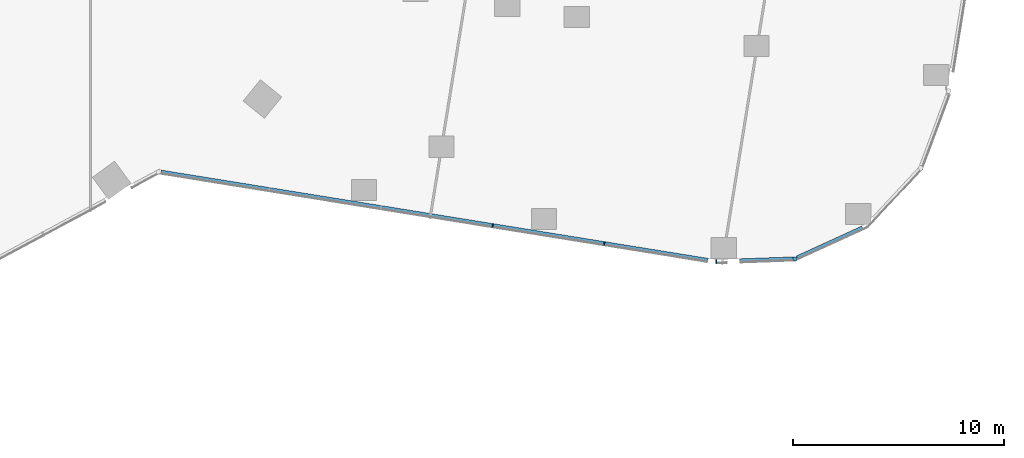
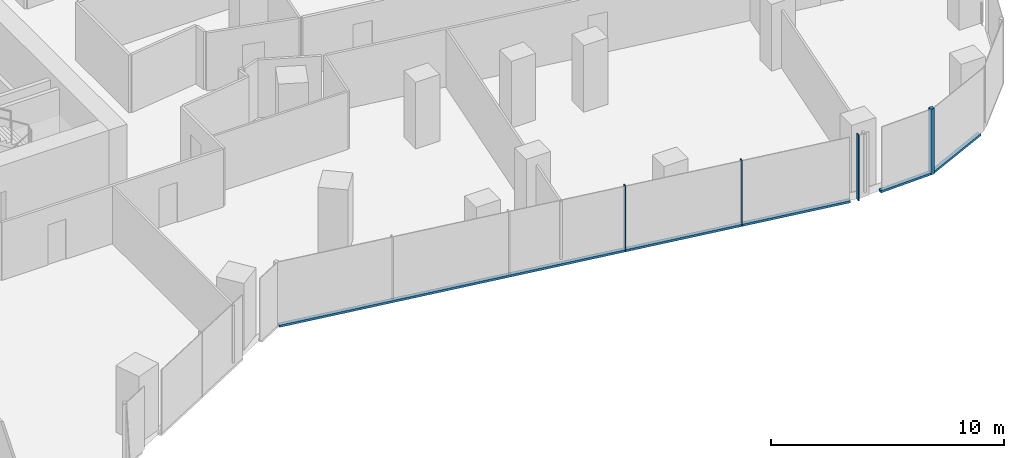
# One storey, part 9 of 34: 7 members, 3 elements without a shape of their own.
"""IFC4 building model written with IfcOpenShell, lengths in metres."""

import ifcopenshell
import ifcopenshell.guid

model = None  # the IFC model being written
_history = None  # IfcOwnerHistory: only IFC2X3 demands one
_inside = {}  # id of a spatial element -> (the spatial element, [elements in it])
_under = {}  # id of a project, library or spatial element -> (it, [spatial elements below it])
_declared = {}  # id of a project -> (the project, [libraries it declares])
_typed = {}  # id of a type object -> (the type object, [elements of that type])
_made_of = {}  # id of a material, layer set ... -> (it, [elements and type objects made of it])


def new_model(schema):
    """Start an empty IFC model of exactly this schema.

    Asked for "IFC4X3", IfcOpenShell would pick the latest addendum, in which some entities
    have other attributes; the version numbers below select the first issue.
    IFC2X3 requires an IfcOwnerHistory on every rooted entity: one is made here for all.
    """
    global model, _history
    if schema == "IFC4X3":
        model = ifcopenshell.file(schema_version=(4, 3, 0, 0))
    else:
        model = ifcopenshell.file(schema=schema)
    _inside.clear()
    _under.clear()
    _declared.clear()
    _typed.clear()
    _made_of.clear()
    _history = None
    if model.schema == "IFC2X3":
        org = make("IfcOrganization", Name="unknown")
        user = make(
            "IfcPersonAndOrganization",
            ThePerson=make("IfcPerson", FamilyName="unknown"),
            TheOrganization=org,
        )
        app = make(
            "IfcApplication",
            ApplicationDeveloper=org,
            Version="unknown",
            ApplicationFullName="unknown",
            ApplicationIdentifier="unknown",
        )
        _history = make(
            "IfcOwnerHistory",
            OwningUser=user,
            OwningApplication=app,
            ChangeAction="ADDED",
            CreationDate=0,
        )
    return model


def make(cls, **values):
    """One entity of the class cls with the attributes given. An attribute that is None is left unset."""
    return model.create_entity(
        cls, **{name: value for name, value in values.items() if value is not None}
    )


def rooted(cls, **values):
    """An entity with a GlobalId (a new one), such as an element, a storey or a relation."""
    return make(cls, GlobalId=ifcopenshell.guid.new(), OwnerHistory=_history, **values)


def si_unit(unit_type, name, prefix=None):
    """IfcSIUnit, for example si_unit("LENGTHUNIT", "METRE", prefix="MILLI")."""
    return make("IfcSIUnit", UnitType=unit_type, Prefix=prefix, Name=name)


def assignment(units):
    """IfcUnitAssignment: the units of a project."""
    return None if units is None else make("IfcUnitAssignment", Units=units)


def point(xyz):
    """IfcCartesianPoint."""
    return None if xyz is None else make("IfcCartesianPoint", Coordinates=xyz)


def direction(xyz):
    """IfcDirection."""
    return None if xyz is None else make("IfcDirection", DirectionRatios=xyz)


def frame(location, z_axis=None, x_axis=None):
    """IfcAxis2Placement3D, a coordinate frame: its origin and axes. An axis left out is left unset."""
    return make(
        "IfcAxis2Placement3D",
        Location=point(location),
        Axis=direction(z_axis),
        RefDirection=direction(x_axis),
    )


def frame_2d(location, x_axis=None):
    """IfcAxis2Placement2D, a coordinate frame in the plane: its origin and x axis."""
    return make(
        "IfcAxis2Placement2D", Location=point(location), RefDirection=direction(x_axis)
    )


def origin():
    """The frame at (0, 0, 0) with its axes left unset."""
    return frame((0.0, 0.0, 0.0))


def origin_2d():
    """The frame at (0, 0) in the plane with its x axis left unset."""
    return frame_2d((0.0, 0.0))


def place(relative_to, where):
    """IfcLocalPlacement: puts the frame where relative to a parent placement (None: the world)."""
    return make(
        "IfcLocalPlacement", PlacementRelTo=relative_to, RelativePlacement=where
    )


def context(
    kind, dimensions, precision=None, world=None, true_north=None, identifier=None
):
    """IfcGeometricRepresentationContext, for example the 3D "Model" context."""
    return make(
        "IfcGeometricRepresentationContext",
        ContextIdentifier=identifier,
        ContextType=kind,
        CoordinateSpaceDimension=dimensions,
        Precision=precision,
        WorldCoordinateSystem=world,
        TrueNorth=true_north,
    )


def subcontext(parent, identifier, kind, view, scale=None):
    """IfcGeometricRepresentationSubContext, for example "Body" below "Model"."""
    return make(
        "IfcGeometricRepresentationSubContext",
        ContextIdentifier=identifier,
        ContextType=kind,
        ParentContext=parent,
        TargetScale=scale,
        TargetView=view,
    )


def project(units=None, contexts=None):
    """IfcProject with its units and contexts."""
    return rooted(
        "IfcProject",
        Name="project",
        RepresentationContexts=contexts,
        UnitsInContext=assignment(units),
    )


def spatial(cls, under=None, at=None, **own):
    """A site, building, storey or space (cls), placed at a placement, below another one or the project."""
    s = rooted(cls, ObjectPlacement=at, **own)
    if under is not None:
        _under.setdefault(under.id(), (under, []))[1].append(s)
    return s


def profile(cls, at=None, kind="AREA", **sizes):
    """A parametric profile (cls). Its sizes go by their IFC names, for example OverallWidth=200.0."""
    return make(cls, ProfileType=kind, Position=at, **sizes)


def rectangle(**sizes):
    """IfcRectangleProfileDef."""
    return profile("IfcRectangleProfileDef", **sizes)


def extrude(swept, where, along, depth):
    """IfcExtrudedAreaSolid: the profile swept, set in the frame where, extruded along a direction by depth."""
    return make(
        "IfcExtrudedAreaSolid",
        SweptArea=swept,
        Position=where,
        ExtrudedDirection=direction(along),
        Depth=depth,
    )


def shape(context_of_items, identifier, shape_type, items):
    """IfcShapeRepresentation: the items that make up one representation, for example the "Body"."""
    return make(
        "IfcShapeRepresentation",
        ContextOfItems=context_of_items,
        RepresentationIdentifier=identifier,
        RepresentationType=shape_type,
        Items=items,
    )


def material(Name=None, Category=None):
    """IfcMaterial."""
    return make("IfcMaterial", Name=Name, Category=Category)


def material_profile(
    of_material, cross_section, Name=None, Category=None, Priority=None
):
    """IfcMaterialProfile: a cross section and its material."""
    return make(
        "IfcMaterialProfile",
        Name=Name,
        Material=of_material,
        Profile=cross_section,
        Priority=Priority,
        Category=Category,
    )


def profile_set(profiles, Name=None, composite=None):
    """IfcMaterialProfileSet."""
    return make(
        "IfcMaterialProfileSet",
        Name=Name,
        MaterialProfiles=profiles,
        CompositeProfile=composite,
    )


def made_of(thing, what):
    """Note that an element or type object is made of a material, layer set ...; save() writes the relation."""
    if what is not None:
        _made_of.setdefault(what.id(), (what, []))[1].append(thing)
    return thing


def type_object(cls, material=None, **own):
    """A type object (cls), such as IfcWallType, which elements share."""
    return made_of(rooted(cls, **own), material)


def element(
    cls,
    number,
    at=None,
    inside=None,
    cuts=None,
    type_object=None,
    material=None,
    context=None,
    identifier="Body",
    shape_type=None,
    held_by="IfcProductDefinitionShape",
    body=None,
    shapes=None,
    **own,
):
    """One element of the class cls, such as IfcWall. Its Tag is "e" and its number.

    at: its placement. inside: the storey or other place that contains it. cuts: it is an
    opening in that element (IfcRelVoidsElement). A single representation is given by context,
    identifier, shape_type and body (its items); several are given by shapes. held_by: the class
    of the entity that holds the representations. save() writes the other relations.
    """
    e = rooted(cls, Tag="e%d" % number, ObjectPlacement=at, **own)
    if body is not None:
        shapes = [shape(context, identifier, shape_type, body)]
    if shapes is not None:
        e.Representation = make(held_by, Representations=shapes)
    if inside is not None:
        _inside.setdefault(inside.id(), (inside, []))[1].append(e)
    if cuts is not None:
        rooted(
            "IfcRelVoidsElement", RelatingBuildingElement=cuts, RelatedOpeningElement=e
        )
    if type_object is not None:
        _typed.setdefault(type_object.id(), (type_object, []))[1].append(e)
    return made_of(e, material)


def aggregate(whole, parts):
    """IfcRelAggregates: a whole, such as a stair, and the parts it consists of."""
    return rooted("IfcRelAggregates", RelatingObject=whole, RelatedObjects=parts)


def save(model, path):
    """Write the relations noted so far, then the file.

    IfcRelAggregates (storeys below a building ...), IfcRelContainedInSpatialStructure (elements
    in a storey), IfcRelDefinesByType, IfcRelAssociatesMaterial and IfcRelDeclares: one each for
    every whole, place, type object, material and project.
    """
    for whole, parts in _under.values():
        aggregate(whole, parts)
    for where, things in _inside.values():
        rooted(
            "IfcRelContainedInSpatialStructure",
            RelatedElements=things,
            RelatingStructure=where,
        )
    for kind, things in _typed.values():
        rooted("IfcRelDefinesByType", RelatedObjects=things, RelatingType=kind)
    for what, things in _made_of.values():
        rooted("IfcRelAssociatesMaterial", RelatedObjects=things, RelatingMaterial=what)
    for by, libraries in _declared.values():
        rooted("IfcRelDeclares", RelatingContext=by, RelatedDefinitions=libraries)
    model.write(path)


model = new_model("IFC4")

# Units and contexts
model_context = context("Model", 3, precision=1e-05, world=origin(), true_north=direction((0.0, 1.0)))
body_context = subcontext(model_context, "Body", "Model", "MODEL_VIEW")
ifc_project = project(units=[si_unit("LENGTHUNIT", "METRE"), si_unit("AREAUNIT", "SQUARE_METRE"), si_unit("VOLUMEUNIT", "CUBIC_METRE"), si_unit("PLANEANGLEUNIT", "RADIAN"), si_unit("MASSUNIT", "GRAM", prefix="KILO")], contexts=[model_context])

# Site, building, storey
site_placement = place(None, origin())
site = spatial("IfcSite", under=ifc_project, at=site_placement, CompositionType="ELEMENT")
building_placement = place(site_placement, origin())
building = spatial("IfcBuilding", under=site, at=building_placement, Name="Orlundy Tower", CompositionType="ELEMENT")
storey_placement = place(building_placement, frame((0.0, 0.0, 134.199951171875)))
storey = spatial("IfcBuildingStorey", under=building, at=storey_placement, Name="L34", CompositionType="ELEMENT", Elevation=134.199951171875)

# Curtain wall, member
ifc_material_1 = material(Name="Aluminium bronze anodised", Category="aluminium")
curtain_wall_type = type_object("IfcCurtainWallType", Name="CW1 wall", PredefinedType="NOTDEFINED", material=ifc_material_1)
curtain_wall_1_placement = place(storey_placement, origin())
curtain_wall_1 = element("IfcCurtainWall", 1, at=curtain_wall_1_placement, inside=storey, type_object=curtain_wall_type, Name="CW1 run 015", PredefinedType="NOTDEFINED")
ifc_material_2 = material(Name="Aluminium bronze anodised", Category="aluminium")
ifc_material_profile_1 = material_profile(ifc_material_2, rectangle(XDim=0.179931640625, YDim=0.179931640625, at=origin_2d()), Name="CW1 corner post 180x180")
ifc_profile_set_1 = profile_set([ifc_material_profile_1], Name="Aluminium bronze anodised")
member_type_1 = type_object("IfcMemberType", Name="CW1 corner post 180x180", PredefinedType="MULLION", material=ifc_profile_set_1)
member_1_placement = place(storey_placement, frame((49.901123046875, -27.664306640625, -0.39990234375), z_axis=(0.0, 0.0, 1.0), x_axis=(0.036413082656, -0.999336823804, 0.0)))
member_1 = element("IfcMember", 2, at=member_1_placement, type_object=member_type_1, Name="CW1 mullion 43", PredefinedType="MULLION", context=body_context, shape_type="SweptSolid", body=[
    extrude(rectangle(XDim=0.179931640625, YDim=0.179931640625, at=origin_2d()), origin(), (0.0, 0.0, 1.0), 3.449951171875),
])

# Curtain wall, members
curtain_wall_2_placement = place(storey_placement, origin())
curtain_wall_2 = element("IfcCurtainWall", 3, at=curtain_wall_2_placement, inside=storey, type_object=curtain_wall_type, Name="CW1 run 016", PredefinedType="NOTDEFINED")
ifc_material_3 = material(Name="Aluminium bronze anodised", Category="aluminium")
ifc_material_profile_2 = material_profile(ifc_material_3, rectangle(XDim=0.179931640625, YDim=0.050048828125, at=origin_2d()), Name="CW1 mullion 50x180")
ifc_profile_set_2 = profile_set([ifc_material_profile_2], Name="Aluminium bronze anodised")
member_type_2 = type_object("IfcMemberType", Name="CW1 mullion 50x180", PredefinedType="MULLION", material=ifc_profile_set_2)
member_2_placement = place(storey_placement, frame((46.16943359375, -27.80029296875, -0.39990234375), z_axis=(0.0, 0.0, 1.0), x_axis=(-0.061746522644, -0.998091862977, 0.0)))
member_2 = element("IfcMember", 4, at=member_2_placement, type_object=member_type_2, Name="CW1 mullion 44", PredefinedType="MULLION", context=body_context, shape_type="SweptSolid", body=[
    extrude(rectangle(XDim=0.179931640625, YDim=0.050048828125, at=origin_2d()), origin(), (0.0, 0.0, 1.0), 3.449951171875),
])
member_3_placement = place(storey_placement, frame((40.872314453125, -26.945556640625, -0.39990234375), z_axis=(0.0, 0.0, 1.0), x_axis=(-0.159311085453, -0.987228432558, 0.0)))
member_3 = element("IfcMember", 5, at=member_3_placement, type_object=member_type_2, Name="CW1 mullion 45", PredefinedType="MULLION", context=body_context, shape_type="SweptSolid", body=[
    extrude(rectangle(XDim=0.179931640625, YDim=0.050048828125, at=origin_2d()), origin(), (0.0, 0.0, 1.0), 3.449951171875),
])
member_4_placement = place(storey_placement, frame((35.583740234375, -26.092041015625, -0.39990234375), z_axis=(0.0, 0.0, 1.0), x_axis=(-0.159311085453, -0.987228432558, 0.0)))
member_4 = element("IfcMember", 6, at=member_4_placement, type_object=member_type_2, Name="CW1 mullion 46", PredefinedType="MULLION", context=body_context, shape_type="SweptSolid", body=[
    extrude(rectangle(XDim=0.179931640625, YDim=0.050048828125, at=origin_2d()), origin(), (0.0, 0.0, 1.0), 3.449951171875),
])

# Curtain wall, member
curtain_wall_3_placement = place(storey_placement, origin())
curtain_wall_3 = element("IfcCurtainWall", 7, at=curtain_wall_3_placement, inside=storey, type_object=curtain_wall_type, Name="CW1 run 014", PredefinedType="NOTDEFINED")
ifc_material_4 = material(Name="Aluminium bronze anodised", Category="aluminium")
ifc_material_profile_3 = material_profile(ifc_material_4, rectangle(XDim=0.179931640625, YDim=0.1201171875, at=origin_2d()), Name="CW1 transom 180x120")
ifc_profile_set_3 = profile_set([ifc_material_profile_3], Name="Aluminium bronze anodised")
member_type_3 = type_object("IfcMemberType", Name="CW1 transom 180x120", PredefinedType="USERDEFINED", material=ifc_profile_set_3)
member_5_placement = place(storey_placement, frame((53.10791015625, -26.197021484375, -0.33984375), z_axis=(-0.909329814914, -0.416076060003, 0.0), x_axis=(0.416076060003, -0.909329814914, 0.0)))
member_5 = element("IfcMember", 8, at=member_5_placement, type_object=member_type_3, Name="CW1 transom", ObjectType="TRANSOM", PredefinedType="USERDEFINED", context=body_context, shape_type="SweptSolid", body=[
    extrude(rectangle(XDim=0.179931640625, YDim=0.1201171875, at=origin_2d()), origin(), (0.0, 0.0, 1.0), 3.42919921875),
])
aggregate(curtain_wall_3, [member_5])

# Member
member_6_placement = place(storey_placement, frame((49.811279296875, -27.66748046875, -0.33984375), z_axis=(-0.999337008749, -0.0364080066, 0.0), x_axis=(0.0364080066, -0.999337008749, 0.0)))
member_6 = element("IfcMember", 9, at=member_6_placement, type_object=member_type_3, Name="CW1 transom", ObjectType="TRANSOM", PredefinedType="USERDEFINED", context=body_context, shape_type="SweptSolid", body=[
    extrude(rectangle(XDim=0.179931640625, YDim=0.1201171875, at=origin_2d()), origin(), (0.0, 0.0, 1.0), 2.528076171875),
])

aggregate(curtain_wall_1, [member_1, member_6])

member_7_placement = place(storey_placement, frame((45.784912109375, -27.73828125, -0.33984375), z_axis=(-0.987227397491, 0.159317499491, 0.0), x_axis=(-0.159317499491, -0.987227397491, 0.0)))
member_7 = element("IfcMember", 10, at=member_7_placement, type_object=member_type_3, Name="CW1 transom", ObjectType="TRANSOM", PredefinedType="USERDEFINED", context=body_context, shape_type="SweptSolid", body=[
    extrude(rectangle(XDim=0.179931640625, YDim=0.1201171875, at=origin_2d()), origin(), (0.0, 0.0, 1.0), 26.259521484375),
])

aggregate(curtain_wall_2, [member_2, member_3, member_4, member_7])

save(model, "model.ifc")
